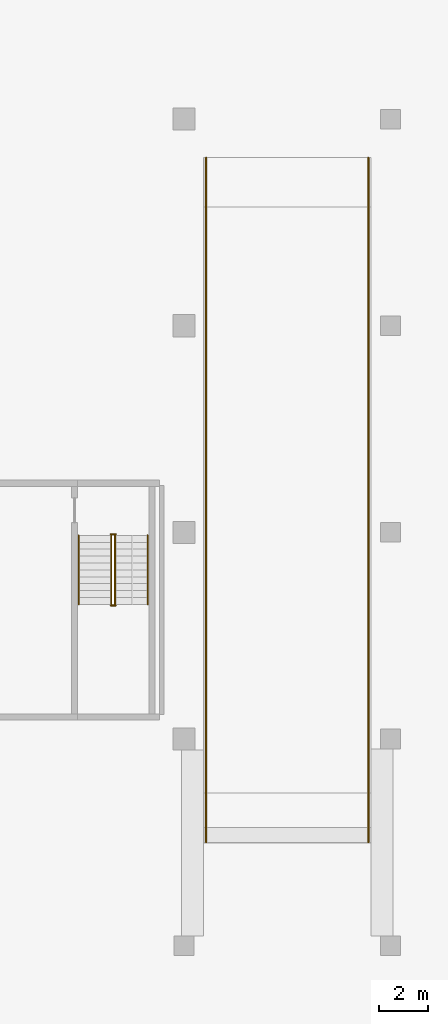
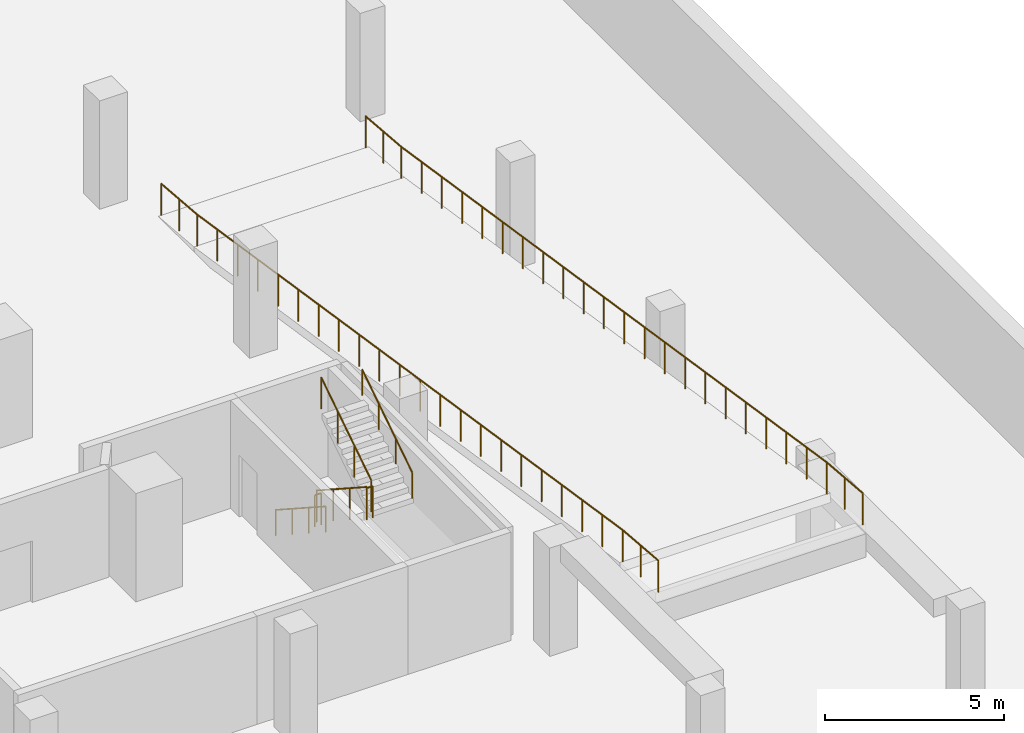
# One storey, part 16 of 18: 8 railings.
"""IFC4 building model written with IfcOpenShell, lengths in metres."""

import ifcopenshell
import ifcopenshell.guid

model = None  # the IFC model being written
_history = None  # IfcOwnerHistory: only IFC2X3 demands one
_inside = {}  # id of a spatial element -> (the spatial element, [elements in it])
_under = {}  # id of a project, library or spatial element -> (it, [spatial elements below it])
_declared = {}  # id of a project -> (the project, [libraries it declares])
_typed = {}  # id of a type object -> (the type object, [elements of that type])
_made_of = {}  # id of a material, layer set ... -> (it, [elements and type objects made of it])


def new_model(schema):
    """Start an empty IFC model of exactly this schema.

    Asked for "IFC4X3", IfcOpenShell would pick the latest addendum, in which some entities
    have other attributes; the version numbers below select the first issue.
    IFC2X3 requires an IfcOwnerHistory on every rooted entity: one is made here for all.
    """
    global model, _history
    if schema == "IFC4X3":
        model = ifcopenshell.file(schema_version=(4, 3, 0, 0))
    else:
        model = ifcopenshell.file(schema=schema)
    _inside.clear()
    _under.clear()
    _declared.clear()
    _typed.clear()
    _made_of.clear()
    _history = None
    if model.schema == "IFC2X3":
        org = make("IfcOrganization", Name="unknown")
        user = make(
            "IfcPersonAndOrganization",
            ThePerson=make("IfcPerson", FamilyName="unknown"),
            TheOrganization=org,
        )
        app = make(
            "IfcApplication",
            ApplicationDeveloper=org,
            Version="unknown",
            ApplicationFullName="unknown",
            ApplicationIdentifier="unknown",
        )
        _history = make(
            "IfcOwnerHistory",
            OwningUser=user,
            OwningApplication=app,
            ChangeAction="ADDED",
            CreationDate=0,
        )
    return model


def make(cls, **values):
    """One entity of the class cls with the attributes given. An attribute that is None is left unset."""
    return model.create_entity(
        cls, **{name: value for name, value in values.items() if value is not None}
    )


def rooted(cls, **values):
    """An entity with a GlobalId (a new one), such as an element, a storey or a relation."""
    return make(cls, GlobalId=ifcopenshell.guid.new(), OwnerHistory=_history, **values)


def si_unit(unit_type, name, prefix=None):
    """IfcSIUnit, for example si_unit("LENGTHUNIT", "METRE", prefix="MILLI")."""
    return make("IfcSIUnit", UnitType=unit_type, Prefix=prefix, Name=name)


def assignment(units):
    """IfcUnitAssignment: the units of a project."""
    return None if units is None else make("IfcUnitAssignment", Units=units)


def point(xyz):
    """IfcCartesianPoint."""
    return None if xyz is None else make("IfcCartesianPoint", Coordinates=xyz)


def direction(xyz):
    """IfcDirection."""
    return None if xyz is None else make("IfcDirection", DirectionRatios=xyz)


def frame(location, z_axis=None, x_axis=None):
    """IfcAxis2Placement3D, a coordinate frame: its origin and axes. An axis left out is left unset."""
    return make(
        "IfcAxis2Placement3D",
        Location=point(location),
        Axis=direction(z_axis),
        RefDirection=direction(x_axis),
    )


def frame_2d(location, x_axis=None):
    """IfcAxis2Placement2D, a coordinate frame in the plane: its origin and x axis."""
    return make(
        "IfcAxis2Placement2D", Location=point(location), RefDirection=direction(x_axis)
    )


def origin():
    """The frame at (0, 0, 0) with its axes left unset."""
    return frame((0.0, 0.0, 0.0))


def origin_2d():
    """The frame at (0, 0) in the plane with its x axis left unset."""
    return frame_2d((0.0, 0.0))


def place(relative_to, where):
    """IfcLocalPlacement: puts the frame where relative to a parent placement (None: the world)."""
    return make(
        "IfcLocalPlacement", PlacementRelTo=relative_to, RelativePlacement=where
    )


def context(
    kind, dimensions, precision=None, world=None, true_north=None, identifier=None
):
    """IfcGeometricRepresentationContext, for example the 3D "Model" context."""
    return make(
        "IfcGeometricRepresentationContext",
        ContextIdentifier=identifier,
        ContextType=kind,
        CoordinateSpaceDimension=dimensions,
        Precision=precision,
        WorldCoordinateSystem=world,
        TrueNorth=true_north,
    )


def subcontext(parent, identifier, kind, view, scale=None):
    """IfcGeometricRepresentationSubContext, for example "Body" below "Model"."""
    return make(
        "IfcGeometricRepresentationSubContext",
        ContextIdentifier=identifier,
        ContextType=kind,
        ParentContext=parent,
        TargetScale=scale,
        TargetView=view,
    )


def project(units=None, contexts=None):
    """IfcProject with its units and contexts."""
    return rooted(
        "IfcProject",
        Name="project",
        RepresentationContexts=contexts,
        UnitsInContext=assignment(units),
    )


def spatial(cls, under=None, at=None, **own):
    """A site, building, storey or space (cls), placed at a placement, below another one or the project."""
    s = rooted(cls, ObjectPlacement=at, **own)
    if under is not None:
        _under.setdefault(under.id(), (under, []))[1].append(s)
    return s


def profile(cls, at=None, kind="AREA", **sizes):
    """A parametric profile (cls). Its sizes go by their IFC names, for example OverallWidth=200.0."""
    return make(cls, ProfileType=kind, Position=at, **sizes)


def circle(**sizes):
    """IfcCircleProfileDef."""
    return profile("IfcCircleProfileDef", **sizes)


def extrude(swept, where, along, depth):
    """IfcExtrudedAreaSolid: the profile swept, set in the frame where, extruded along a direction by depth."""
    return make(
        "IfcExtrudedAreaSolid",
        SweptArea=swept,
        Position=where,
        ExtrudedDirection=direction(along),
        Depth=depth,
    )


def shape(context_of_items, identifier, shape_type, items):
    """IfcShapeRepresentation: the items that make up one representation, for example the "Body"."""
    return make(
        "IfcShapeRepresentation",
        ContextOfItems=context_of_items,
        RepresentationIdentifier=identifier,
        RepresentationType=shape_type,
        Items=items,
    )


def material(Name=None, Category=None):
    """IfcMaterial."""
    return make("IfcMaterial", Name=Name, Category=Category)


def made_of(thing, what):
    """Note that an element or type object is made of a material, layer set ...; save() writes the relation."""
    if what is not None:
        _made_of.setdefault(what.id(), (what, []))[1].append(thing)
    return thing


def type_object(cls, material=None, **own):
    """A type object (cls), such as IfcWallType, which elements share."""
    return made_of(rooted(cls, **own), material)


def element(
    cls,
    number,
    at=None,
    inside=None,
    cuts=None,
    type_object=None,
    material=None,
    context=None,
    identifier="Body",
    shape_type=None,
    held_by="IfcProductDefinitionShape",
    body=None,
    shapes=None,
    **own,
):
    """One element of the class cls, such as IfcWall. Its Tag is "e" and its number.

    at: its placement. inside: the storey or other place that contains it. cuts: it is an
    opening in that element (IfcRelVoidsElement). A single representation is given by context,
    identifier, shape_type and body (its items); several are given by shapes. held_by: the class
    of the entity that holds the representations. save() writes the other relations.
    """
    e = rooted(cls, Tag="e%d" % number, ObjectPlacement=at, **own)
    if body is not None:
        shapes = [shape(context, identifier, shape_type, body)]
    if shapes is not None:
        e.Representation = make(held_by, Representations=shapes)
    if inside is not None:
        _inside.setdefault(inside.id(), (inside, []))[1].append(e)
    if cuts is not None:
        rooted(
            "IfcRelVoidsElement", RelatingBuildingElement=cuts, RelatedOpeningElement=e
        )
    if type_object is not None:
        _typed.setdefault(type_object.id(), (type_object, []))[1].append(e)
    return made_of(e, material)


def aggregate(whole, parts):
    """IfcRelAggregates: a whole, such as a stair, and the parts it consists of."""
    return rooted("IfcRelAggregates", RelatingObject=whole, RelatedObjects=parts)


def save(model, path):
    """Write the relations noted so far, then the file.

    IfcRelAggregates (storeys below a building ...), IfcRelContainedInSpatialStructure (elements
    in a storey), IfcRelDefinesByType, IfcRelAssociatesMaterial and IfcRelDeclares: one each for
    every whole, place, type object, material and project.
    """
    for whole, parts in _under.values():
        aggregate(whole, parts)
    for where, things in _inside.values():
        rooted(
            "IfcRelContainedInSpatialStructure",
            RelatedElements=things,
            RelatingStructure=where,
        )
    for kind, things in _typed.values():
        rooted("IfcRelDefinesByType", RelatedObjects=things, RelatingType=kind)
    for what, things in _made_of.values():
        rooted("IfcRelAssociatesMaterial", RelatedObjects=things, RelatingMaterial=what)
    for by, libraries in _declared.values():
        rooted("IfcRelDeclares", RelatingContext=by, RelatedDefinitions=libraries)
    model.write(path)


model = new_model("IFC4")

# Units and contexts
model_context = context("Model", 3, precision=1e-05, world=origin(), true_north=direction((0.0, 1.0)))
body_context = subcontext(model_context, "Body", "Model", "MODEL_VIEW")
ifc_project = project(units=[si_unit("LENGTHUNIT", "METRE"), si_unit("AREAUNIT", "SQUARE_METRE"), si_unit("VOLUMEUNIT", "CUBIC_METRE"), si_unit("PLANEANGLEUNIT", "RADIAN"), si_unit("MASSUNIT", "GRAM", prefix="KILO")], contexts=[model_context])

# Site, building, storey
site_placement = place(None, origin())
site = spatial("IfcSite", under=ifc_project, at=site_placement, CompositionType="ELEMENT")
building_placement = place(site_placement, origin())
building = spatial("IfcBuilding", under=site, at=building_placement, Name="Cantera Rosa Tower", CompositionType="ELEMENT")
storey_placement = place(building_placement, frame((0.0, 0.0, -9.0)))
storey = spatial("IfcBuildingStorey", under=building, at=storey_placement, Name="B2", CompositionType="ELEMENT", Elevation=-9.0)

# Railings
ifc_material_1 = material(Name="Steel S355J2 (EN 10025-2)", Category="steel")
railing_type_1 = type_object("IfcRailingType", Name="Ramp guard 1100", PredefinedType="GUARDRAIL", material=ifc_material_1)
railing_1_placement = place(storey_placement, frame((34.5, -5.7666015625, 0.0)))
element("IfcRailing", 1, at=railing_1_placement, inside=storey, type_object=railing_type_1, Name="Ramp guard RP2a", PredefinedType="GUARDRAIL", context=body_context, shape_type="SweptSolid", body=[
    extrude(circle(Radius=0.02392578125, at=origin_2d()), frame((0.0, 0.0, 1.076171875), z_axis=(0.0, -0.996542401618, 0.083085749549), x_axis=(1.0, 0.0, 0.0)), (0.0, 0.0, 1.0), 2.0068359375),
    extrude(circle(Radius=0.02392578125, at=origin_2d()), frame((0.0, -2.0, 1.24267578125), z_axis=(0.0, -0.988372868082, 0.152049576252), x_axis=(1.0, 0.0, 0.0)), (0.0, 0.0, 1.0), 24.11376953125),
    extrude(circle(Radius=0.02392578125, at=origin_2d()), frame((0.0, -25.83349609375, 4.9091796875), z_axis=(0.0, -0.996542401618, 0.083085749549), x_axis=(1.0, 0.0, 0.0)), (0.0, 0.0, 1.0), 2.0068359375),
    extrude(circle(Radius=0.02099609375, at=origin_2d()), origin(), (0.0, 0.0, 1.0), 1.052001953125),
    extrude(circle(Radius=0.02099609375, at=origin_2d()), frame((0.0, -1.0, 0.08349609375)), (0.0, 0.0, 1.0), 1.052001953125),
    extrude(circle(Radius=0.02099609375, at=origin_2d()), frame((0.0, -2.0, 0.166748046875)), (0.0, 0.0, 1.0), 1.052001953125),
    extrude(circle(Radius=0.02099609375, at=origin_2d()), frame((0.0, -3.135009765625, 0.34130859375)), (0.0, 0.0, 1.0), 1.052001953125),
    extrude(circle(Radius=0.02099609375, at=origin_2d()), frame((0.0, -4.269775390625, 0.515869140625)), (0.0, 0.0, 1.0), 1.052001953125),
    extrude(circle(Radius=0.02099609375, at=origin_2d()), frame((0.0, -5.40478515625, 0.6904296875)), (0.0, 0.0, 1.0), 1.052001953125),
    extrude(circle(Radius=0.02099609375, at=origin_2d()), frame((0.0, -6.539794921875, 0.865234375)), (0.0, 0.0, 1.0), 1.052001953125),
    extrude(circle(Radius=0.02099609375, at=origin_2d()), frame((0.0, -7.674560546875, 1.039794921875)), (0.0, 0.0, 1.0), 1.052001953125),
    extrude(circle(Radius=0.02099609375, at=origin_2d()), frame((0.0, -8.8095703125, 1.21435546875)), (0.0, 0.0, 1.0), 1.052001953125),
    extrude(circle(Radius=0.02099609375, at=origin_2d()), frame((0.0, -9.944580078125, 1.388916015625)), (0.0, 0.0, 1.0), 1.052001953125),
    extrude(circle(Radius=0.02099609375, at=origin_2d()), frame((0.0, -11.079345703125, 1.5634765625)), (0.0, 0.0, 1.0), 1.052001953125),
    extrude(circle(Radius=0.02099609375, at=origin_2d()), frame((0.0, -12.21435546875, 1.738037109375)), (0.0, 0.0, 1.0), 1.052001953125),
    extrude(circle(Radius=0.02099609375, at=origin_2d()), frame((0.0, -13.349365234375, 1.91259765625)), (0.0, 0.0, 1.0), 1.052001953125),
    extrude(circle(Radius=0.02099609375, at=origin_2d()), frame((0.0, -14.484130859375, 2.08740234375)), (0.0, 0.0, 1.0), 1.052001953125),
    extrude(circle(Radius=0.02099609375, at=origin_2d()), frame((0.0, -15.619140625, 2.261962890625)), (0.0, 0.0, 1.0), 1.052001953125),
    extrude(circle(Radius=0.02099609375, at=origin_2d()), frame((0.0, -16.754150390625, 2.4365234375)), (0.0, 0.0, 1.0), 1.052001953125),
    extrude(circle(Radius=0.02099609375, at=origin_2d()), frame((0.0, -17.888916015625, 2.611083984375)), (0.0, 0.0, 1.0), 1.052001953125),
    extrude(circle(Radius=0.02099609375, at=origin_2d()), frame((0.0, -19.02392578125, 2.78564453125)), (0.0, 0.0, 1.0), 1.052001953125),
    extrude(circle(Radius=0.02099609375, at=origin_2d()), frame((0.0, -20.158935546875, 2.960205078125)), (0.0, 0.0, 1.0), 1.052001953125),
    extrude(circle(Radius=0.02099609375, at=origin_2d()), frame((0.0, -21.293701171875, 3.134765625)), (0.0, 0.0, 1.0), 1.052001953125),
    extrude(circle(Radius=0.02099609375, at=origin_2d()), frame((0.0, -22.4287109375, 3.3095703125)), (0.0, 0.0, 1.0), 1.052001953125),
    extrude(circle(Radius=0.02099609375, at=origin_2d()), frame((0.0, -23.563720703125, 3.484130859375)), (0.0, 0.0, 1.0), 1.052001953125),
    extrude(circle(Radius=0.02099609375, at=origin_2d()), frame((0.0, -24.698486328125, 3.65869140625)), (0.0, 0.0, 1.0), 1.052001953125),
    extrude(circle(Radius=0.02099609375, at=origin_2d()), frame((0.0, -25.83349609375, 3.833251953125)), (0.0, 0.0, 1.0), 1.052001953125),
    extrude(circle(Radius=0.02099609375, at=origin_2d()), frame((0.0, -26.83349609375, 3.91650390625)), (0.0, 0.0, 1.0), 1.052001953125),
    extrude(circle(Radius=0.02099609375, at=origin_2d()), frame((0.0, -27.83349609375, 4.0)), (0.0, 0.0, 1.0), 1.052001953125),
])
railing_2_placement = place(storey_placement, frame((41.10009765625, -5.7666015625, 0.0)))
element("IfcRailing", 2, at=railing_2_placement, inside=storey, type_object=railing_type_1, Name="Ramp guard RP2b", PredefinedType="GUARDRAIL", context=body_context, shape_type="SweptSolid", body=[
    extrude(circle(Radius=0.02392578125, at=origin_2d()), frame((0.0, 0.0, 1.076171875), z_axis=(0.0, -0.996542401618, 0.083085749549), x_axis=(1.0, 0.0, 0.0)), (0.0, 0.0, 1.0), 2.0068359375),
    extrude(circle(Radius=0.02392578125, at=origin_2d()), frame((0.0, -2.0, 1.24267578125), z_axis=(0.0, -0.988372868082, 0.152049576252), x_axis=(1.0, 0.0, 0.0)), (0.0, 0.0, 1.0), 24.11376953125),
    extrude(circle(Radius=0.02392578125, at=origin_2d()), frame((0.0, -25.83349609375, 4.9091796875), z_axis=(0.0, -0.996542401618, 0.083085749549), x_axis=(1.0, 0.0, 0.0)), (0.0, 0.0, 1.0), 2.0068359375),
    extrude(circle(Radius=0.02099609375, at=origin_2d()), origin(), (0.0, 0.0, 1.0), 1.052001953125),
    extrude(circle(Radius=0.02099609375, at=origin_2d()), frame((0.0, -1.0, 0.08349609375)), (0.0, 0.0, 1.0), 1.052001953125),
    extrude(circle(Radius=0.02099609375, at=origin_2d()), frame((0.0, -2.0, 0.166748046875)), (0.0, 0.0, 1.0), 1.052001953125),
    extrude(circle(Radius=0.02099609375, at=origin_2d()), frame((0.0, -3.135009765625, 0.34130859375)), (0.0, 0.0, 1.0), 1.052001953125),
    extrude(circle(Radius=0.02099609375, at=origin_2d()), frame((0.0, -4.269775390625, 0.515869140625)), (0.0, 0.0, 1.0), 1.052001953125),
    extrude(circle(Radius=0.02099609375, at=origin_2d()), frame((0.0, -5.40478515625, 0.6904296875)), (0.0, 0.0, 1.0), 1.052001953125),
    extrude(circle(Radius=0.02099609375, at=origin_2d()), frame((0.0, -6.539794921875, 0.865234375)), (0.0, 0.0, 1.0), 1.052001953125),
    extrude(circle(Radius=0.02099609375, at=origin_2d()), frame((0.0, -7.674560546875, 1.039794921875)), (0.0, 0.0, 1.0), 1.052001953125),
    extrude(circle(Radius=0.02099609375, at=origin_2d()), frame((0.0, -8.8095703125, 1.21435546875)), (0.0, 0.0, 1.0), 1.052001953125),
    extrude(circle(Radius=0.02099609375, at=origin_2d()), frame((0.0, -9.944580078125, 1.388916015625)), (0.0, 0.0, 1.0), 1.052001953125),
    extrude(circle(Radius=0.02099609375, at=origin_2d()), frame((0.0, -11.079345703125, 1.5634765625)), (0.0, 0.0, 1.0), 1.052001953125),
    extrude(circle(Radius=0.02099609375, at=origin_2d()), frame((0.0, -12.21435546875, 1.738037109375)), (0.0, 0.0, 1.0), 1.052001953125),
    extrude(circle(Radius=0.02099609375, at=origin_2d()), frame((0.0, -13.349365234375, 1.91259765625)), (0.0, 0.0, 1.0), 1.052001953125),
    extrude(circle(Radius=0.02099609375, at=origin_2d()), frame((0.0, -14.484130859375, 2.08740234375)), (0.0, 0.0, 1.0), 1.052001953125),
    extrude(circle(Radius=0.02099609375, at=origin_2d()), frame((0.0, -15.619140625, 2.261962890625)), (0.0, 0.0, 1.0), 1.052001953125),
    extrude(circle(Radius=0.02099609375, at=origin_2d()), frame((0.0, -16.754150390625, 2.4365234375)), (0.0, 0.0, 1.0), 1.052001953125),
    extrude(circle(Radius=0.02099609375, at=origin_2d()), frame((0.0, -17.888916015625, 2.611083984375)), (0.0, 0.0, 1.0), 1.052001953125),
    extrude(circle(Radius=0.02099609375, at=origin_2d()), frame((0.0, -19.02392578125, 2.78564453125)), (0.0, 0.0, 1.0), 1.052001953125),
    extrude(circle(Radius=0.02099609375, at=origin_2d()), frame((0.0, -20.158935546875, 2.960205078125)), (0.0, 0.0, 1.0), 1.052001953125),
    extrude(circle(Radius=0.02099609375, at=origin_2d()), frame((0.0, -21.293701171875, 3.134765625)), (0.0, 0.0, 1.0), 1.052001953125),
    extrude(circle(Radius=0.02099609375, at=origin_2d()), frame((0.0, -22.4287109375, 3.3095703125)), (0.0, 0.0, 1.0), 1.052001953125),
    extrude(circle(Radius=0.02099609375, at=origin_2d()), frame((0.0, -23.563720703125, 3.484130859375)), (0.0, 0.0, 1.0), 1.052001953125),
    extrude(circle(Radius=0.02099609375, at=origin_2d()), frame((0.0, -24.698486328125, 3.65869140625)), (0.0, 0.0, 1.0), 1.052001953125),
    extrude(circle(Radius=0.02099609375, at=origin_2d()), frame((0.0, -25.83349609375, 3.833251953125)), (0.0, 0.0, 1.0), 1.052001953125),
    extrude(circle(Radius=0.02099609375, at=origin_2d()), frame((0.0, -26.83349609375, 3.91650390625)), (0.0, 0.0, 1.0), 1.052001953125),
    extrude(circle(Radius=0.02099609375, at=origin_2d()), frame((0.0, -27.83349609375, 4.0)), (0.0, 0.0, 1.0), 1.052001953125),
])
ifc_material_2 = material(Name="Steel S355J2 (EN 10025-2)", Category="steel")
railing_type_2 = type_object("IfcRailingType", Name="STAIR GUARD 1100", PredefinedType="GUARDRAIL", material=ifc_material_2)
railing_3_placement = place(storey_placement, frame((30.65087890625, -21.125, 0.181884765625)))
element("IfcRailing", 3, at=railing_3_placement, inside=storey, type_object=railing_type_2, Name="B2 ST-SE stair guard 1", PredefinedType="GUARDRAIL", context=body_context, shape_type="SweptSolid", body=[
    extrude(circle(Radius=0.02392578125, at=origin_2d()), frame((0.0, 0.0, 1.076171875), z_axis=(0.0, -0.838705829183, 0.544584733623), x_axis=(1.0, 0.0, 0.0)), (0.0, 0.0, 1.0), 3.338623046875),
    extrude(circle(Radius=0.02099609375, at=origin_2d()), origin(), (0.0, 0.0, 1.0), 1.052001953125),
    extrude(circle(Radius=0.02099609375, at=origin_2d()), frame((0.0, -0.933349609375, 0.60595703125)), (0.0, 0.0, 1.0), 1.052001953125),
    extrude(circle(Radius=0.02099609375, at=origin_2d()), frame((0.0, -1.86669921875, 1.212158203125)), (0.0, 0.0, 1.0), 1.052001953125),
    extrude(circle(Radius=0.02099609375, at=origin_2d()), frame((0.0, -2.800048828125, 1.818115234375)), (0.0, 0.0, 1.0), 1.052001953125),
])
railing_4_placement = place(storey_placement, frame((30.625, -23.97509765625, 2.0)))
element("IfcRailing", 4, at=railing_4_placement, inside=storey, type_object=railing_type_2, Name="B2 ST-SE stair guard 2", PredefinedType="GUARDRAIL", context=body_context, shape_type="SweptSolid", body=[
    extrude(circle(Radius=0.02392578125, at=origin_2d()), frame((0.0, 0.0, 1.076171875), z_axis=(1.0, 0.0, 0.0), x_axis=(0.0, 1.0, 0.0)), (0.0, 0.0, 1.0), 0.199951171875),
    extrude(circle(Radius=0.02099609375, at=origin_2d()), origin(), (0.0, 0.0, 1.0), 1.052001953125),
    extrude(circle(Radius=0.02099609375, at=origin_2d()), frame((0.199951171875, 0.0, 0.0)), (0.0, 0.0, 1.0), 1.052001953125),
])
railing_5_placement = place(storey_placement, frame((30.799072265625, -23.925048828125, 2.181884765625)))
element("IfcRailing", 5, at=railing_5_placement, inside=storey, type_object=railing_type_2, Name="B2 ST-SE stair guard 3", PredefinedType="GUARDRAIL", context=body_context, shape_type="SweptSolid", body=[
    extrude(circle(Radius=0.02392578125, at=origin_2d()), frame((0.0, 0.0, 1.076171875), z_axis=(0.0, 0.838705829183, 0.544584733623), x_axis=(-1.0, 0.0, 0.0)), (0.0, 0.0, 1.0), 3.338623046875),
    extrude(circle(Radius=0.02099609375, at=origin_2d()), origin(), (0.0, 0.0, 1.0), 1.052001953125),
    extrude(circle(Radius=0.02099609375, at=origin_2d()), frame((0.0, 0.933349609375, 0.60595703125)), (0.0, 0.0, 1.0), 1.052001953125),
    extrude(circle(Radius=0.02099609375, at=origin_2d()), frame((0.0, 1.86669921875, 1.212158203125)), (0.0, 0.0, 1.0), 1.052001953125),
    extrude(circle(Radius=0.02099609375, at=origin_2d()), frame((0.0, 2.800048828125, 1.818115234375)), (0.0, 0.0, 1.0), 1.052001953125),
])
railing_6_placement = place(storey_placement, frame((30.625, -21.074951171875, 0.0)))
element("IfcRailing", 6, at=railing_6_placement, inside=storey, type_object=railing_type_2, Name="B2 ST-SE stair guard 4", PredefinedType="GUARDRAIL", context=body_context, shape_type="SweptSolid", body=[
    extrude(circle(Radius=0.02392578125, at=origin_2d()), frame((0.0, 0.0, 1.076171875), z_axis=(1.0, 0.0, 0.0), x_axis=(0.0, 1.0, 0.0)), (0.0, 0.0, 1.0), 0.199951171875),
    extrude(circle(Radius=0.02099609375, at=origin_2d()), origin(), (0.0, 0.0, 1.0), 1.052001953125),
    extrude(circle(Radius=0.02099609375, at=origin_2d()), frame((0.199951171875, 0.0, 0.0)), (0.0, 0.0, 1.0), 1.052001953125),
])
ifc_material_3 = material(Name="Steel S355J2 (EN 10025-2)", Category="steel")
railing_type_3 = type_object("IfcRailingType", Name="STAIR HANDRAIL 900", PredefinedType="HANDRAIL", material=ifc_material_3)
railing_7_placement = place(storey_placement, frame((29.324951171875, -21.125, 0.181884765625)))
element("IfcRailing", 7, at=railing_7_placement, inside=storey, type_object=railing_type_3, Name="B2 ST-SE stair handrail 1", PredefinedType="HANDRAIL", context=body_context, shape_type="SweptSolid", body=[
    extrude(circle(Radius=0.02392578125, at=origin_2d()), frame((0.0, 0.0, 0.8759765625), z_axis=(0.0, -0.838705829183, 0.544584733623), x_axis=(1.0, 0.0, 0.0)), (0.0, 0.0, 1.0), 3.338623046875),
    extrude(circle(Radius=0.02099609375, at=origin_2d()), origin(), (0.0, 0.0, 1.0), 0.851806640625),
    extrude(circle(Radius=0.02099609375, at=origin_2d()), frame((0.0, -0.933349609375, 0.60595703125)), (0.0, 0.0, 1.0), 0.851806640625),
    extrude(circle(Radius=0.02099609375, at=origin_2d()), frame((0.0, -1.86669921875, 1.212158203125)), (0.0, 0.0, 1.0), 0.851806640625),
    extrude(circle(Radius=0.02099609375, at=origin_2d()), frame((0.0, -2.800048828125, 1.818115234375)), (0.0, 0.0, 1.0), 0.851806640625),
])
railing_8_placement = place(storey_placement, frame((32.125, -23.925048828125, 2.181884765625)))
element("IfcRailing", 8, at=railing_8_placement, inside=storey, type_object=railing_type_3, Name="B2 ST-SE stair handrail 2", PredefinedType="HANDRAIL", context=body_context, shape_type="SweptSolid", body=[
    extrude(circle(Radius=0.02392578125, at=origin_2d()), frame((0.0, 0.0, 0.8759765625), z_axis=(0.0, 0.838705829183, 0.544584733623), x_axis=(-1.0, 0.0, 0.0)), (0.0, 0.0, 1.0), 3.338623046875),
    extrude(circle(Radius=0.02099609375, at=origin_2d()), origin(), (0.0, 0.0, 1.0), 0.851806640625),
    extrude(circle(Radius=0.02099609375, at=origin_2d()), frame((0.0, 0.933349609375, 0.60595703125)), (0.0, 0.0, 1.0), 0.851806640625),
    extrude(circle(Radius=0.02099609375, at=origin_2d()), frame((0.0, 1.86669921875, 1.212158203125)), (0.0, 0.0, 1.0), 0.851806640625),
    extrude(circle(Radius=0.02099609375, at=origin_2d()), frame((0.0, 2.800048828125, 1.818115234375)), (0.0, 0.0, 1.0), 0.851806640625),
])

save(model, "model.ifc")
